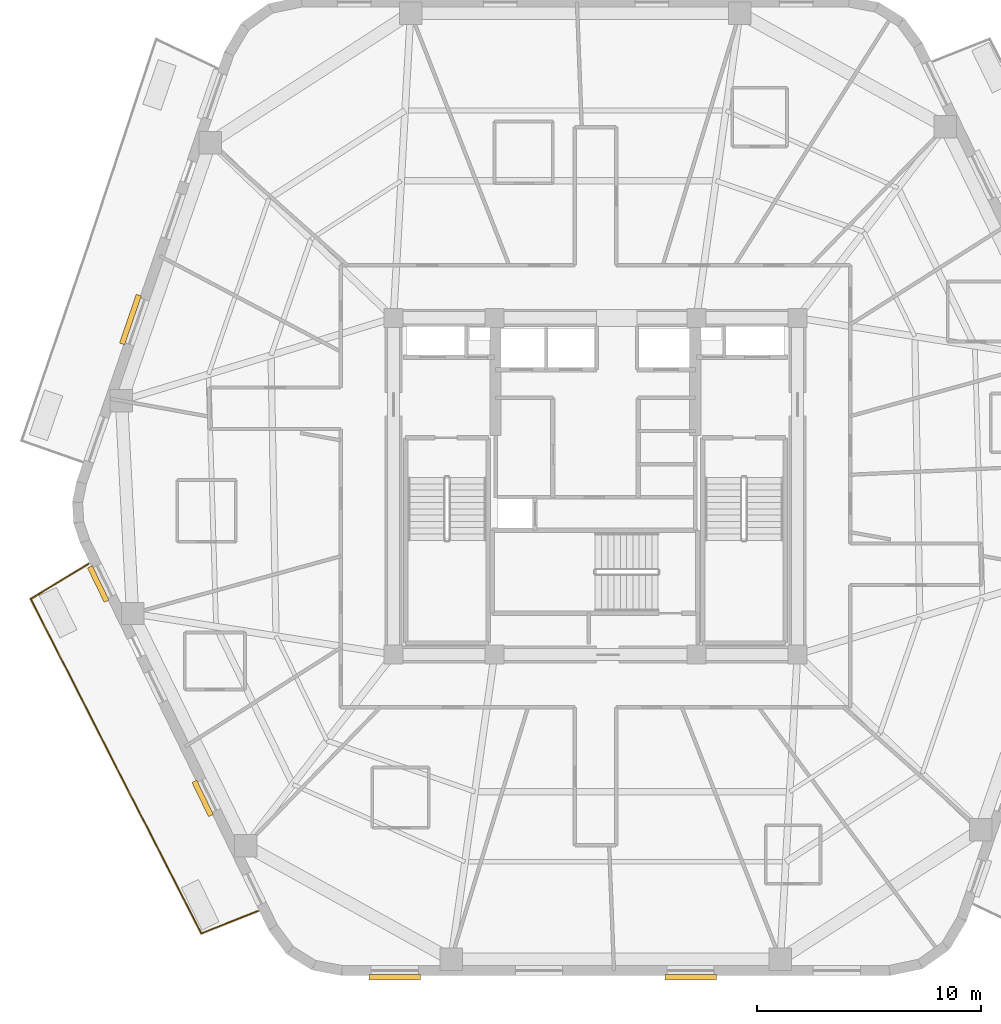
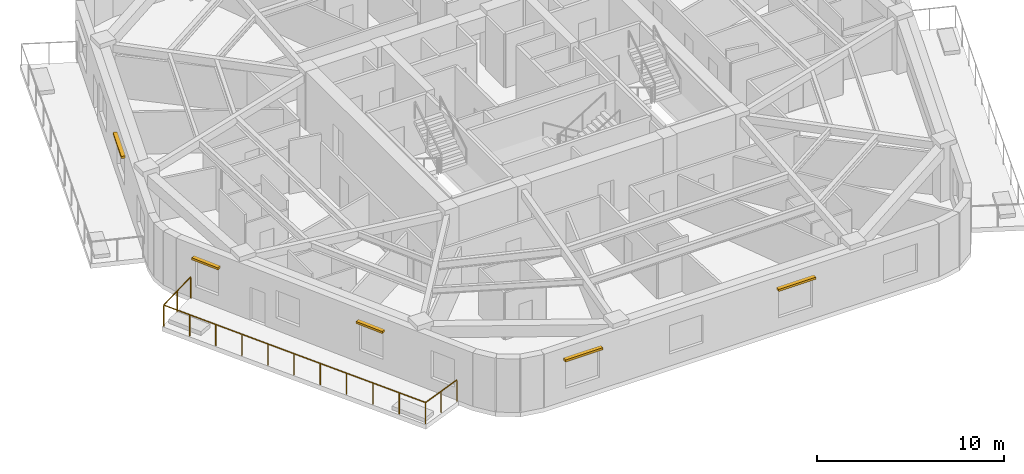
# One storey, part 8 of 10: 5 shading devices, 1 railing.
"""IFC4 building model written with IfcOpenShell, lengths in metres."""

from ifc_helpers import new_model, si_unit, direction, frame, origin, origin_2d, place, context, subcontext, project, spatial, rectangle, extrude, material, layer, layer_set, type_object, element, save


model = new_model("IFC4")

# Units and contexts
model_context = context("Model", 3, precision=1e-05, world=origin(), true_north=direction((0.0, 1.0)))
body_context = subcontext(model_context, "Body", "Model", "MODEL_VIEW")
ifc_project = project(units=[si_unit("LENGTHUNIT", "METRE"), si_unit("AREAUNIT", "SQUARE_METRE"), si_unit("VOLUMEUNIT", "CUBIC_METRE"), si_unit("PLANEANGLEUNIT", "RADIAN"), si_unit("MASSUNIT", "GRAM", prefix="KILO")], contexts=[model_context])

# Site, building, storey
site_placement = place(None, origin())
site = spatial("IfcSite", under=ifc_project, at=site_placement, CompositionType="ELEMENT")
building_placement = place(site_placement, origin())
building = spatial("IfcBuilding", under=site, at=building_placement, Name="Kilnhurst Terrace Hotel", CompositionType="ELEMENT")
storey_placement = place(building_placement, frame((0.0, 0.0, 206.5)))
storey = spatial("IfcBuildingStorey", under=building, at=storey_placement, Name="L51", CompositionType="ELEMENT", Elevation=206.5)

# Railing
ifc_material_1 = material(Name="Laminated SentryGlas and Stainless Steel AISI 316L Balustrade", Category="steel")
ifc_layer_1 = layer(ifc_material_1, 0.070068359375, Name="Laminated SentryGlas and Stainless Steel AISI 316L Balustrade")
ifc_layer_set_1 = layer_set([ifc_layer_1], Name="Laminated SentryGlas and Stainless Steel AISI 316L Balustrade")
railing_type = type_object("IfcRailingType", Name="RLG-BAL-1420", PredefinedType="BALUSTRADE", material=ifc_layer_set_1)
railing_placement = place(storey_placement, frame((-15.0546875, -18.933349609375, 0.0)))
element("IfcRailing", 1, at=railing_placement, inside=storey, type_object=railing_type, Name="L51 Exterior Terrace Guardrail BAL-L2B.1", PredefinedType="BALUSTRADE", context=body_context, shape_type="SweptSolid", body=[
    extrude(rectangle(XDim=0.048095703125, YDim=0.048095703125, at=origin_2d()), frame((0.0, 0.0, 1.39599609375), z_axis=(-0.929913162101, -0.367779160574, 0.0), x_axis=(0.367779160574, -0.929913162101, 0.0)), (0.0, 0.0, 1.0), 2.694580078125),
    extrude(rectangle(XDim=0.048095703125, YDim=0.048095703125, at=origin_2d()), frame((-2.505615234375, -0.990966796875, 1.39599609375), z_axis=(-0.455129479154, 0.890425267614, 0.0), x_axis=(-0.890425267614, -0.455129479154, 0.0)), (0.0, 0.0, 1.0), 8.4072265625),
    extrude(rectangle(XDim=0.048095703125, YDim=0.048095703125, at=origin_2d()), frame((-6.33203125, 6.4951171875, 1.39599609375), z_axis=(-0.45338853952, 0.891312982196, 0.0), x_axis=(-0.891312982196, -0.45338853952, 0.0)), (0.0, 0.0, 1.0), 8.320068359375),
    extrude(rectangle(XDim=0.048095703125, YDim=0.048095703125, at=origin_2d()), frame((-10.104248046875, 13.910888671875, 1.39599609375), z_axis=(0.854990626614, 0.518643450168, 0.0), x_axis=(-0.518643450168, 0.854990626614, 0.0)), (0.0, 0.0, 1.0), 3.008056640625),
    extrude(rectangle(XDim=0.0419921875, YDim=0.0419921875, at=origin_2d()), origin(), (0.0, 0.0, 1.0), 1.371826171875),
    extrude(rectangle(XDim=0.0419921875, YDim=0.0419921875, at=origin_2d()), frame((-1.2529296875, -0.49560546875, 0.0)), (0.0, 0.0, 1.0), 1.371826171875),
    extrude(rectangle(XDim=0.0419921875, YDim=0.0419921875, at=origin_2d()), frame((-2.505615234375, -0.990966796875, 0.0)), (0.0, 0.0, 1.0), 1.371826171875),
    extrude(rectangle(XDim=0.0419921875, YDim=0.0419921875, at=origin_2d()), frame((-3.27099609375, 0.50634765625, 0.0)), (0.0, 0.0, 1.0), 1.371826171875),
    extrude(rectangle(XDim=0.0419921875, YDim=0.0419921875, at=origin_2d()), frame((-4.0361328125, 2.00341796875, 0.0)), (0.0, 0.0, 1.0), 1.371826171875),
    extrude(rectangle(XDim=0.0419921875, YDim=0.0419921875, at=origin_2d()), frame((-4.801513671875, 3.500732421875, 0.0)), (0.0, 0.0, 1.0), 1.371826171875),
    extrude(rectangle(XDim=0.0419921875, YDim=0.0419921875, at=origin_2d()), frame((-5.566650390625, 4.997802734375, 0.0)), (0.0, 0.0, 1.0), 1.371826171875),
    extrude(rectangle(XDim=0.0419921875, YDim=0.0419921875, at=origin_2d()), frame((-6.33203125, 6.4951171875, 0.0)), (0.0, 0.0, 1.0), 1.371826171875),
    extrude(rectangle(XDim=0.0419921875, YDim=0.0419921875, at=origin_2d()), frame((-7.08642578125, 7.978271484375, 0.0)), (0.0, 0.0, 1.0), 1.371826171875),
    extrude(rectangle(XDim=0.0419921875, YDim=0.0419921875, at=origin_2d()), frame((-7.8408203125, 9.46142578125, 0.0)), (0.0, 0.0, 1.0), 1.371826171875),
    extrude(rectangle(XDim=0.0419921875, YDim=0.0419921875, at=origin_2d()), frame((-8.595458984375, 10.944580078125, 0.0)), (0.0, 0.0, 1.0), 1.371826171875),
    extrude(rectangle(XDim=0.0419921875, YDim=0.0419921875, at=origin_2d()), frame((-9.349853515625, 12.427734375, 0.0)), (0.0, 0.0, 1.0), 1.371826171875),
    extrude(rectangle(XDim=0.0419921875, YDim=0.0419921875, at=origin_2d()), frame((-10.104248046875, 13.910888671875, 0.0)), (0.0, 0.0, 1.0), 1.371826171875),
    extrude(rectangle(XDim=0.0419921875, YDim=0.0419921875, at=origin_2d()), frame((-8.818359375, 14.69091796875, 0.0)), (0.0, 0.0, 1.0), 1.371826171875),
    extrude(rectangle(XDim=0.0419921875, YDim=0.0419921875, at=origin_2d()), frame((-7.532470703125, 15.470947265625, 0.0)), (0.0, 0.0, 1.0), 1.371826171875),
])

# Shading devices
ifc_material_2 = material(Name="Terracotta Baguette Sunshade on Aluminium Alloy 6063-T6", Category="masonry")
ifc_layer_2 = layer(ifc_material_2, 0.199951171875, Name="Terracotta Baguette Sunshade on Aluminium Alloy 6063-T6")
ifc_layer_set_2 = layer_set([ifc_layer_2], Name="Terracotta Baguette Sunshade on Aluminium Alloy 6063-T6")
shading_device_type = type_object("IfcShadingDeviceType", Name="SHD-SUN-200", PredefinedType="JALOUSIE", material=ifc_layer_set_2)
for number, where, z_axis, x_axis, name in (
    (2, (-8.943603515625, -21.8798828125, 2.68017578125), (0.0, 0.0, 1.0), (1.0, 0.0, 0.0), "L51 Terracotta Window Sunshade F1.1"),
    (3, (4.240234375, -21.8798828125, 2.68017578125), (0.0, 0.0, 1.0), (1.0, 0.0, 0.0), "L51 Terracotta Window Sunshade F1.3"),
    (4, (-20.719970703125, 7.425537109375, 2.68017578125), (0.0, 0.0, 1.0), (-0.325089542819, -0.94568323933, 0.0), "L51 Terracotta Window Sunshade F5.3"),
):
    element("IfcShadingDevice", number, at=place(storey_placement, frame(where, z_axis=z_axis, x_axis=x_axis)), inside=storey, type_object=shading_device_type, Name=name, PredefinedType="JALOUSIE", context=body_context, shape_type="SweptSolid", body=[
        extrude(rectangle(XDim=2.300048828125, YDim=0.239990234375, at=origin_2d()), origin(), (0.0, 0.0, 1.0), 0.139892578125),
    ])
for number, where, z_axis, x_axis, name in (
    (5, (-22.1533203125, -4.353271484375, 2.6298828125), (0.0, 0.0, 1.0), (0.437743563395, -0.899099868038, 0.0), "L51 Terracotta Window Sunshade F6.1"),
    (6, (-17.50048828125, -13.909912109375, 2.6298828125), (0.0, 0.0, 1.0), (0.437743563395, -0.899099868038, 0.0), "L51 Terracotta Window Sunshade F6.3"),
):
    element("IfcShadingDevice", number, at=place(storey_placement, frame(where, z_axis=z_axis, x_axis=x_axis)), inside=storey, type_object=shading_device_type, Name=name, PredefinedType="JALOUSIE", context=body_context, shape_type="SweptSolid", body=[
        extrude(rectangle(XDim=1.699951171875, YDim=0.239990234375, at=origin_2d()), origin(), (0.0, 0.0, 1.0), 0.139892578125),
    ])

save(model, "model.ifc")
